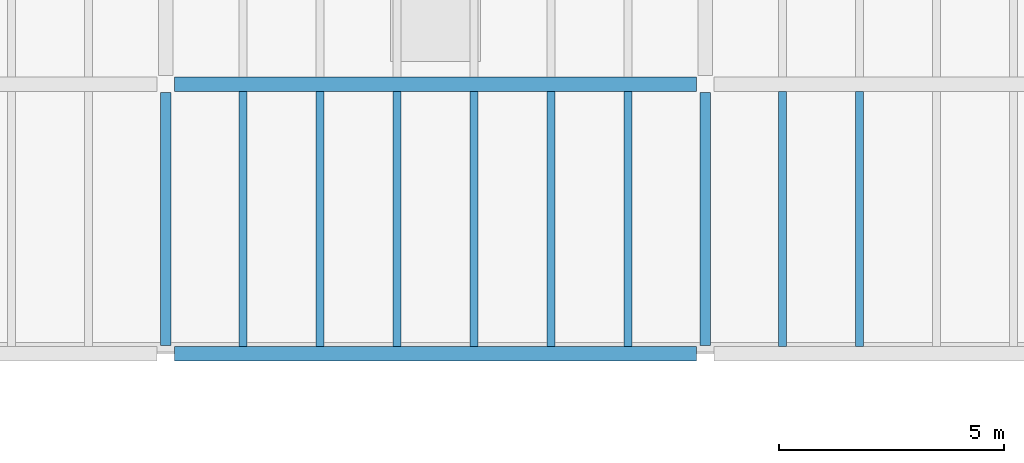
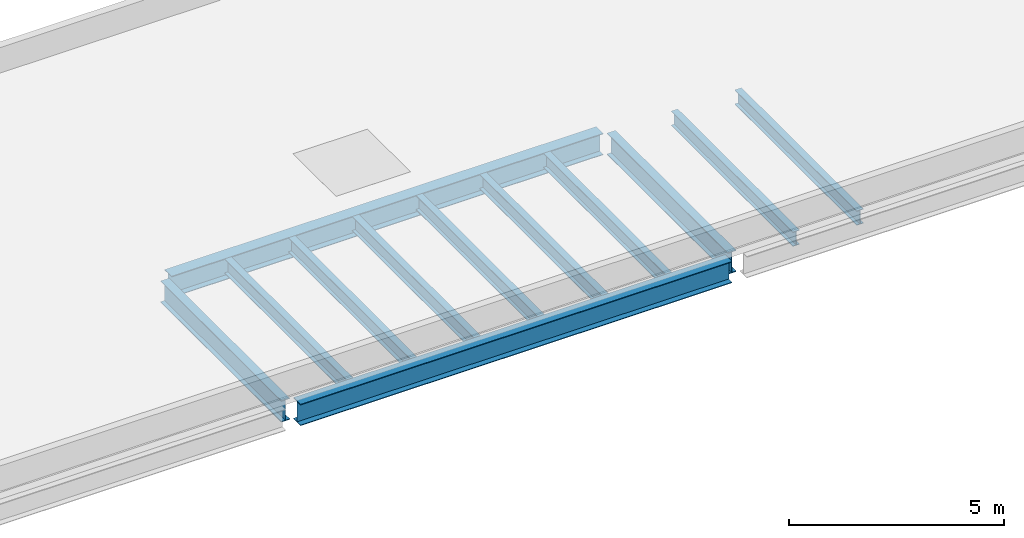
# One storey, part 8 of 63: 12 beams.
"""IFC4 building model written with IfcOpenShell, lengths in metres."""

from ifc_helpers import new_model, si_unit, direction, frame, origin, origin_2d, place, context, subcontext, project, spatial, i_section, extrude, material, material_profile, profile_set, type_object, element, save


model = new_model("IFC4")

# Units and contexts
model_context = context("Model", 3, precision=1e-05, world=origin(), true_north=direction((0.0, 1.0)))
body_context = subcontext(model_context, "Body", "Model", "MODEL_VIEW")
ifc_project = project(units=[si_unit("LENGTHUNIT", "METRE"), si_unit("AREAUNIT", "SQUARE_METRE"), si_unit("VOLUMEUNIT", "CUBIC_METRE"), si_unit("PLANEANGLEUNIT", "RADIAN"), si_unit("MASSUNIT", "GRAM", prefix="KILO")], contexts=[model_context])

# Site, building, storey
site_placement = place(None, origin())
site = spatial("IfcSite", under=ifc_project, at=site_placement, CompositionType="ELEMENT")
building_placement = place(site_placement, origin())
building = spatial("IfcBuilding", under=site, at=building_placement, Name="Kelmvaro Bay Concert Hall", CompositionType="ELEMENT")
storey_placement = place(building_placement, frame((0.0, 0.0, 13.800048828125)))
storey = spatial("IfcBuildingStorey", under=building, at=storey_placement, Name="L03", CompositionType="ELEMENT", Elevation=13.800048828125)

# Beams
ifc_material_1 = material(Name="Steel ASTM A992 Grade 50", Category="steel")
ifc_material_profile_1 = material_profile(ifc_material_1, i_section(OverallWidth=0.323974609375, OverallDepth=0.611083984375, WebThickness=0.0126953125, FlangeThickness=0.01904296875, at=origin_2d()), Name="W24X104")
ifc_profile_set_1 = profile_set([ifc_material_profile_1], Name="Steel ASTM A992 Grade 50")
beam_type_1 = type_object("IfcBeamType", Name="Foyer Frame Girder W24x104", PredefinedType="BEAM", material=ifc_profile_set_1)
for number, where, z_axis, x_axis, name in (
    (1, (96.197998046875, 24.0, -0.435546875), (1.0, 0.0, 0.0), (0.0, 1.0, 0.0), "L03 Girder BM-L03-EW-1343"),
    (2, (96.197998046875, 30.0, -0.435546875), (1.0, 0.0, 0.0), (0.0, 1.0, 0.0), "L03 Girder BM-L03-EW-1352"),
):
    element("IfcBeam", number, at=place(storey_placement, frame(where, z_axis=z_axis, x_axis=x_axis)), inside=storey, type_object=beam_type_1, Name=name, PredefinedType="BEAM", context=body_context, shape_type="SweptSolid", body=[
        extrude(i_section(OverallWidth=0.323974609375, OverallDepth=0.611083984375, WebThickness=0.0126953125, FlangeThickness=0.01904296875, at=origin_2d()), origin(), (0.0, 0.0, 1.0), 11.60400390625),
    ])
ifc_material_2 = material(Name="Steel ASTM A992 Grade 50", Category="steel")
ifc_material_profile_2 = material_profile(ifc_material_2, i_section(OverallWidth=0.179931640625, OverallDepth=0.4140625, WebThickness=0.009765625, FlangeThickness=0.01611328125, at=origin_2d()), Name="W16X50")
ifc_profile_set_2 = profile_set([ifc_material_profile_2], Name="Steel ASTM A992 Grade 50")
beam_type_2 = type_object("IfcBeamType", Name="Terrace Composite Joist W16x50", PredefinedType="JOIST", material=ifc_profile_set_2)
for number, where, z_axis, x_axis, name in (
    (3, (97.71435546875, 24.162109375, -0.337158203125), (0.0, 1.0, 0.0), (-1.0, 0.0, 0.0), "L03 Floor Joist JST-L03-1514"),
    (4, (99.4287109375, 24.162109375, -0.337158203125), (0.0, 1.0, 0.0), (-1.0, 0.0, 0.0), "L03 Floor Joist JST-L03-1515"),
    (5, (101.142822265625, 24.162109375, -0.337158203125), (0.0, 1.0, 0.0), (-1.0, 0.0, 0.0), "L03 Floor Joist JST-L03-1516"),
    (6, (102.857177734375, 24.162109375, -0.337158203125), (0.0, 1.0, 0.0), (-1.0, 0.0, 0.0), "L03 Floor Joist JST-L03-1517"),
    (7, (104.5712890625, 24.162109375, -0.337158203125), (0.0, 1.0, 0.0), (-1.0, 0.0, 0.0), "L03 Floor Joist JST-L03-1518"),
    (8, (106.28564453125, 24.162109375, -0.337158203125), (0.0, 1.0, 0.0), (-1.0, 0.0, 0.0), "L03 Floor Joist JST-L03-1519"),
    (9, (109.71435546875, 24.162109375, -0.337158203125), (0.0, 1.0, 0.0), (-1.0, 0.0, 0.0), "L03 Floor Joist JST-L03-1520"),
    (10, (111.4287109375, 24.162109375, -0.337158203125), (0.0, 1.0, 0.0), (-1.0, 0.0, 0.0), "L03 Floor Joist JST-L03-1521"),
):
    element("IfcBeam", number, at=place(storey_placement, frame(where, z_axis=z_axis, x_axis=x_axis)), inside=storey, type_object=beam_type_2, Name=name, PredefinedType="JOIST", context=body_context, shape_type="SweptSolid", body=[
        extrude(i_section(OverallWidth=0.179931640625, OverallDepth=0.4140625, WebThickness=0.009765625, FlangeThickness=0.01611328125, at=origin_2d()), origin(), (0.0, 0.0, 1.0), 5.67578125),
    ])
ifc_material_3 = material(Name="Steel ASTM A992 Grade 50", Category="steel")
ifc_material_profile_3 = material_profile(ifc_material_3, i_section(OverallWidth=0.22900390625, OverallDepth=0.612060546875, WebThickness=0.011962890625, FlangeThickness=0.01953125, at=origin_2d()), Name="W24X84")
ifc_profile_set_3 = profile_set([ifc_material_profile_3], Name="Steel ASTM A992 Grade 50")
beam_type_3 = type_object("IfcBeamType", Name="Terrace Edge Girder W24x84", PredefinedType="BEAM", material=ifc_profile_set_3)
for number, where, z_axis, x_axis, name in (
    (11, (96.0, 24.1904296875, -0.43603515625), (0.0, 1.0, 0.0), (-1.0, 0.0, 0.0), "L03 Girder BM-L03-NS-1448"),
    (12, (108.0, 24.1904296875, -0.43603515625), (0.0, 1.0, 0.0), (-1.0, 0.0, 0.0), "L03 Girder BM-L03-NS-1450"),
):
    element("IfcBeam", number, at=place(storey_placement, frame(where, z_axis=z_axis, x_axis=x_axis)), inside=storey, type_object=beam_type_3, Name=name, PredefinedType="BEAM", context=body_context, shape_type="SweptSolid", body=[
        extrude(i_section(OverallWidth=0.22900390625, OverallDepth=0.612060546875, WebThickness=0.011962890625, FlangeThickness=0.01953125, at=origin_2d()), origin(), (0.0, 0.0, 1.0), 5.619140625),
    ])

save(model, "model.ifc")
